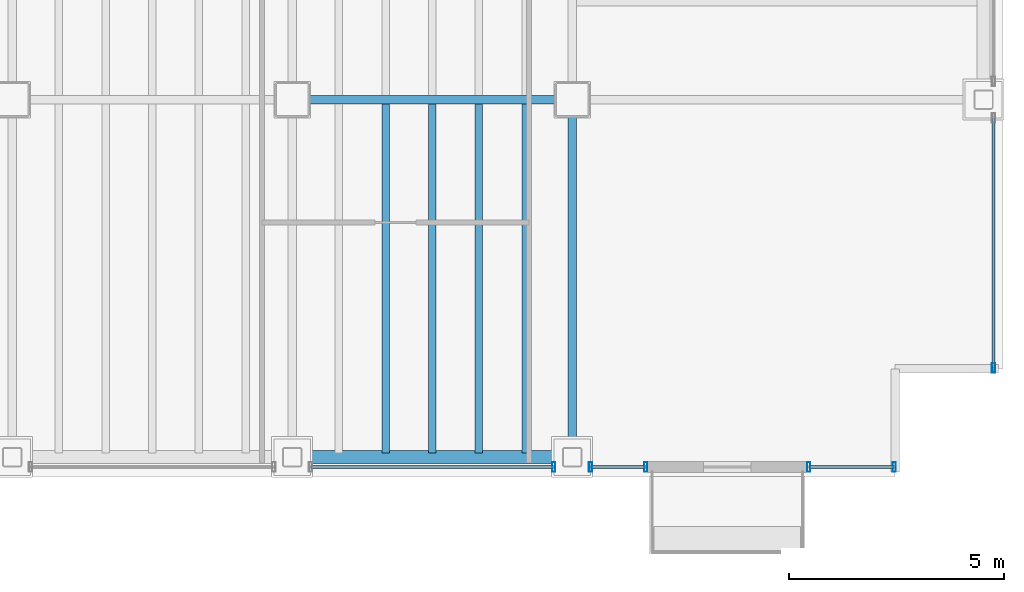
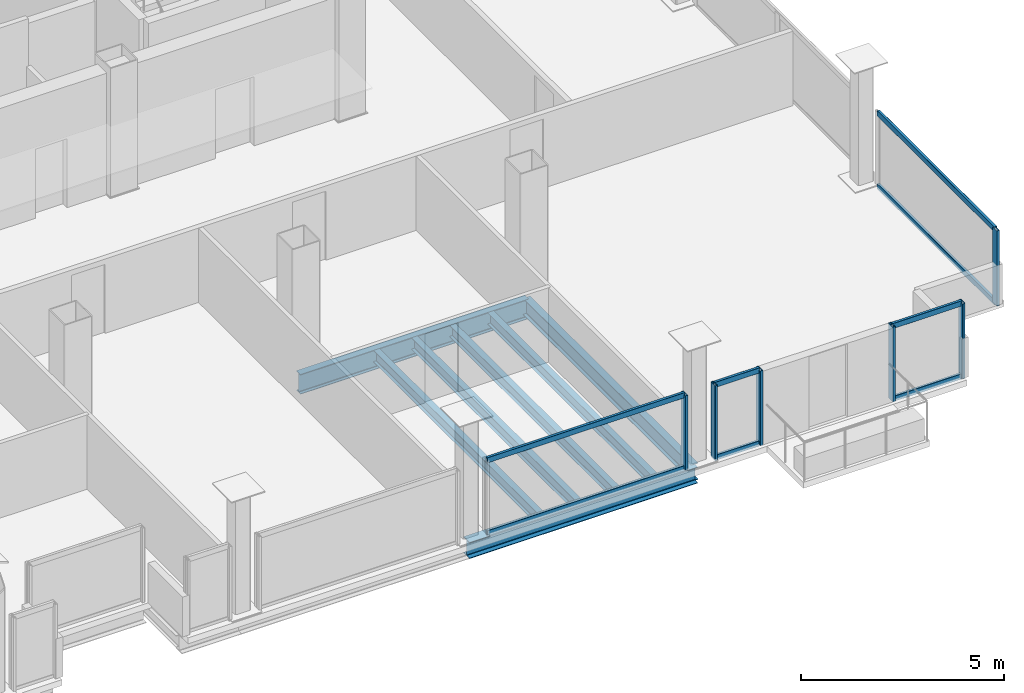
# One storey, part 10 of 17: 14 members, 7 beams, 4 elements without a shape of their own.
"""IFC4 building model written with IfcOpenShell, lengths in metres."""

from ifc_helpers import new_model, si_unit, direction, frame, origin, origin_2d, place, context, subcontext, project, spatial, hollow_rectangle, i_section, extrude, material, material_profile, profile_set, type_object, element, aggregate, save


model = new_model("IFC4")

# Units and contexts
model_context = context("Model", 3, precision=1e-05, world=origin(), true_north=direction((0.0, 1.0)))
body_context = subcontext(model_context, "Body", "Model", "MODEL_VIEW")
ifc_project = project(units=[si_unit("LENGTHUNIT", "METRE"), si_unit("AREAUNIT", "SQUARE_METRE"), si_unit("VOLUMEUNIT", "CUBIC_METRE"), si_unit("PLANEANGLEUNIT", "RADIAN"), si_unit("MASSUNIT", "GRAM", prefix="KILO")], contexts=[model_context])

# Site, building, storey
site_placement = place(None, origin())
site = spatial("IfcSite", under=ifc_project, at=site_placement, CompositionType="ELEMENT")
building_placement = place(site_placement, origin())
building = spatial("IfcBuilding", under=site, at=building_placement, Name="Noeulbin Bourse Tower", CompositionType="ELEMENT")
storey_placement = place(building_placement, frame((0.0, 0.0, 226.699951171875)))
storey = spatial("IfcBuildingStorey", under=building, at=storey_placement, Name="L56", CompositionType="ELEMENT", Elevation=226.699951171875)

# Beams
ifc_material_1 = material(Name="Steel S355", Category="steel")
ifc_material_profile_1 = material_profile(ifc_material_1, i_section(OverallWidth=0.199951171875, OverallDepth=0.5, WebThickness=0.010009765625, FlangeThickness=0.01611328125, FilletRadius=0.02001953125, at=origin_2d()), Name="H-500x200x10x16", Category="LoadBearing")
ifc_profile_set_1 = profile_set([ifc_material_profile_1], Name="Steel S355")
beam_type_1 = type_object("IfcBeamType", Name="BM-GRD-500", PredefinedType="USERDEFINED", material=ifc_profile_set_1)
beam_1_placement = place(storey_placement, frame((44.0, 11.699951171875, -0.429931640625), z_axis=(0.0, 1.0, 0.0), x_axis=(-1.0, 0.0, 0.0)))
element("IfcBeam", 1, at=beam_1_placement, inside=storey, type_object=beam_type_1, Name="Tower Primary Girder NS L56-5.1", ObjectType="GIRDER", PredefinedType="USERDEFINED", context=body_context, shape_type="SweptSolid", body=[
    extrude(i_section(OverallWidth=0.199951171875, OverallDepth=0.5, WebThickness=0.010009765625, FlangeThickness=0.01611328125, FilletRadius=0.02001953125, at=origin_2d()), origin(), (0.0, 0.0, 1.0), 8.300048828125),
])
ifc_material_profile_2 = material_profile(ifc_material_1, i_section(OverallWidth=0.199951171875, OverallDepth=0.60009765625, WebThickness=0.010986328125, FlangeThickness=0.01708984375, FilletRadius=0.02197265625, at=origin_2d()), Name="H-600x200x11x17", Category="LoadBearing")
ifc_profile_set_2 = profile_set([ifc_material_profile_2], Name="Steel S355")
beam_type_2 = type_object("IfcBeamType", Name="BM-GRD-600", PredefinedType="USERDEFINED", material=ifc_profile_set_2)
beam_2_placement = place(storey_placement, frame((37.5, 20.0, -0.47998046875), z_axis=(1.0, 0.0, 0.0), x_axis=(0.0, 1.0, 0.0)))
element("IfcBeam", 2, at=beam_2_placement, inside=storey, type_object=beam_type_2, Name="Tower Primary Girder EW L56-1.5", ObjectType="GIRDER", PredefinedType="USERDEFINED", context=body_context, shape_type="SweptSolid", body=[
    extrude(i_section(OverallWidth=0.199951171875, OverallDepth=0.60009765625, WebThickness=0.010986328125, FlangeThickness=0.01708984375, FilletRadius=0.02197265625, at=origin_2d()), origin(), (0.0, 0.0, 1.0), 6.5),
])
ifc_material_profile_3 = material_profile(ifc_material_1, i_section(OverallWidth=0.175048828125, OverallDepth=0.35009765625, WebThickness=0.007080078125, FlangeThickness=0.010986328125, FilletRadius=0.013916015625, at=origin_2d()), Name="H-350x175x7x11", Category="LoadBearing")
ifc_profile_set_3 = profile_set([ifc_material_profile_3], Name="Steel S355")
beam_type_3 = type_object("IfcBeamType", Name="BM-JST-350", PredefinedType="JOIST", material=ifc_profile_set_3)
for number, where, z_axis, x_axis, name in (
    (3, (39.666748046875, 11.800048828125, -0.35498046875), (0.0, 1.0, 0.0), (-1.0, 0.0, 0.0), "Tower Composite Joist L56-39"),
    (4, (40.75, 11.800048828125, -0.35498046875), (0.0, 1.0, 0.0), (-1.0, 0.0, 0.0), "Tower Composite Joist L56-41"),
    (5, (41.833251953125, 11.800048828125, -0.35498046875), (0.0, 1.0, 0.0), (-1.0, 0.0, 0.0), "Tower Composite Joist L56-43"),
    (6, (42.916748046875, 11.800048828125, -0.35498046875), (0.0, 1.0, 0.0), (-1.0, 0.0, 0.0), "Tower Composite Joist L56-45"),
):
    element("IfcBeam", number, at=place(storey_placement, frame(where, z_axis=z_axis, x_axis=x_axis)), inside=storey, type_object=beam_type_3, Name=name, PredefinedType="JOIST", context=body_context, shape_type="SweptSolid", body=[
        extrude(i_section(OverallWidth=0.175048828125, OverallDepth=0.35009765625, WebThickness=0.007080078125, FlangeThickness=0.010986328125, FilletRadius=0.013916015625, at=origin_2d()), origin(), (0.0, 0.0, 1.0), 8.099853515625),
    ])
ifc_material_profile_4 = material_profile(ifc_material_1, i_section(OverallWidth=0.300048828125, OverallDepth=0.488037109375, WebThickness=0.010986328125, FlangeThickness=0.01806640625, FilletRadius=0.02197265625, at=origin_2d()), Name="H-488x300x11x18", Category="LoadBearing")
ifc_profile_set_4 = profile_set([ifc_material_profile_4], Name="Steel S355")
beam_type_4 = type_object("IfcBeamType", Name="BM-SPN-488", PredefinedType="SPANDREL", material=ifc_profile_set_4)
beam_3_placement = place(storey_placement, frame((37.5, 11.699951171875, -0.424072265625), z_axis=(1.0, 0.0, 0.0), x_axis=(0.0, 1.0, 0.0)))
element("IfcBeam", 7, at=beam_3_placement, inside=storey, type_object=beam_type_4, Name="South Spandrel L56-4", PredefinedType="SPANDREL", context=body_context, shape_type="SweptSolid", body=[
    extrude(i_section(OverallWidth=0.300048828125, OverallDepth=0.488037109375, WebThickness=0.010986328125, FlangeThickness=0.01806640625, FilletRadius=0.02197265625, at=origin_2d()), origin(), (0.0, 0.0, 1.0), 6.5),
])

# Curtain wall, member
ifc_material_2 = material(Name="High-Selectivity Low-Iron Glazing", Category="glass")
curtain_wall_type = type_object("IfcCurtainWallType", Name="CW-SYS-4", PredefinedType="NOTDEFINED", material=ifc_material_2)
curtain_wall_1_placement = place(storey_placement, origin())
curtain_wall_1 = element("IfcCurtainWall", 8, at=curtain_wall_1_placement, inside=storey, type_object=curtain_wall_type, Name="Unitised Curtain Wall CW-L56-S2-S3", PredefinedType="NOTDEFINED")
ifc_material_3 = material(Name="Anodised Aluminium 6063-T6", Category="aluminium")
ifc_material_profile_5 = material_profile(ifc_material_3, hollow_rectangle(XDim=0.074951171875, YDim=0.219970703125, WallThickness=0.0048828125, InnerFilletRadius=0.00244140625, OuterFilletRadius=0.0048828125, at=origin_2d()), Name="ALU-MULL-75x220x5", Category="LoadBearing")
ifc_profile_set_5 = profile_set([ifc_material_profile_5], Name="Anodised Aluminium 6063-T6")
member_type_1 = type_object("IfcMemberType", Name="CW-SYS-4-MUL", PredefinedType="MULLION", material=ifc_profile_set_5)
member_1_placement = place(storey_placement, frame((43.574951171875, 11.469970703125, -0.02001953125), z_axis=(0.0, 0.0, 1.0), x_axis=(1.0, 0.0, 0.0)))
member_1 = element("IfcMember", 9, at=member_1_placement, type_object=member_type_1, Name="Curtain Wall Mullion CW-L56-S2-S3-M01", PredefinedType="MULLION", context=body_context, shape_type="SweptSolid", body=[
    extrude(hollow_rectangle(XDim=0.074951171875, YDim=0.219970703125, WallThickness=0.0048828125, InnerFilletRadius=0.00244140625, OuterFilletRadius=0.0048828125, at=origin_2d()), origin(), (0.0, 0.0, 1.0), 2.260009765625),
])

# Curtain wall, members
curtain_wall_2_placement = place(storey_placement, origin())
curtain_wall_2 = element("IfcCurtainWall", 10, at=curtain_wall_2_placement, inside=storey, type_object=curtain_wall_type, Name="Unitised Curtain Wall CW-L56-S2-S4", PredefinedType="NOTDEFINED")
member_2_placement = place(storey_placement, frame((44.425048828125, 11.469970703125, -0.02001953125), z_axis=(0.0, 0.0, 1.0), x_axis=(1.0, 0.0, 0.0)))
member_2 = element("IfcMember", 11, at=member_2_placement, type_object=member_type_1, Name="Curtain Wall Mullion CW-L56-S2-S4-M00", PredefinedType="MULLION", context=body_context, shape_type="SweptSolid", body=[
    extrude(hollow_rectangle(XDim=0.074951171875, YDim=0.219970703125, WallThickness=0.0048828125, InnerFilletRadius=0.00244140625, OuterFilletRadius=0.0048828125, at=origin_2d()), origin(), (0.0, 0.0, 1.0), 2.260009765625),
])
member_3_placement = place(storey_placement, frame((45.7099609375, 11.469970703125, -0.02001953125), z_axis=(0.0, 0.0, 1.0), x_axis=(1.0, 0.0, 0.0)))
member_3 = element("IfcMember", 12, at=member_3_placement, type_object=member_type_1, Name="Curtain Wall Mullion CW-L56-S2-S4-M01", PredefinedType="MULLION", context=body_context, shape_type="SweptSolid", body=[
    extrude(hollow_rectangle(XDim=0.074951171875, YDim=0.219970703125, WallThickness=0.0048828125, InnerFilletRadius=0.00244140625, OuterFilletRadius=0.0048828125, at=origin_2d()), origin(), (0.0, 0.0, 1.0), 2.260009765625),
])

curtain_wall_3_placement = place(storey_placement, origin())
curtain_wall_3 = element("IfcCurtainWall", 13, at=curtain_wall_3_placement, inside=storey, type_object=curtain_wall_type, Name="Unitised Curtain Wall CW-L56-S3", PredefinedType="NOTDEFINED")
member_4_placement = place(storey_placement, frame((49.489990234375, 11.469970703125, -0.02001953125), z_axis=(0.0, 0.0, 1.0), x_axis=(1.0, 0.0, 0.0)))
member_4 = element("IfcMember", 14, at=member_4_placement, type_object=member_type_1, Name="Curtain Wall Mullion CW-L56-S3-M00", PredefinedType="MULLION", context=body_context, shape_type="SweptSolid", body=[
    extrude(hollow_rectangle(XDim=0.074951171875, YDim=0.219970703125, WallThickness=0.0048828125, InnerFilletRadius=0.00244140625, OuterFilletRadius=0.0048828125, at=origin_2d()), origin(), (0.0, 0.0, 1.0), 2.260009765625),
])
member_5_placement = place(storey_placement, frame((51.47998046875, 11.469970703125, -0.02001953125), z_axis=(0.0, 0.0, 1.0), x_axis=(1.0, 0.0, 0.0)))
member_5 = element("IfcMember", 15, at=member_5_placement, type_object=member_type_1, Name="Curtain Wall Mullion CW-L56-S3-M01", PredefinedType="MULLION", context=body_context, shape_type="SweptSolid", body=[
    extrude(hollow_rectangle(XDim=0.074951171875, YDim=0.219970703125, WallThickness=0.0048828125, InnerFilletRadius=0.00244140625, OuterFilletRadius=0.0048828125, at=origin_2d()), origin(), (0.0, 0.0, 1.0), 2.260009765625),
])

# Curtain wall, member
curtain_wall_4_placement = place(storey_placement, origin())
curtain_wall_4 = element("IfcCurtainWall", 16, at=curtain_wall_4_placement, inside=storey, type_object=curtain_wall_type, Name="Unitised Curtain Wall CW-L56-E-S1", PredefinedType="NOTDEFINED")
member_6_placement = place(storey_placement, frame((53.780029296875, 13.77001953125, -0.02001953125), z_axis=(0.0, 0.0, 1.0), x_axis=(1.0, 0.0, 0.0)))
member_6 = element("IfcMember", 17, at=member_6_placement, type_object=member_type_1, Name="Curtain Wall Mullion CW-L56-E-S1-M00", PredefinedType="MULLION", context=body_context, shape_type="SweptSolid", body=[
    extrude(hollow_rectangle(XDim=0.074951171875, YDim=0.219970703125, WallThickness=0.0048828125, InnerFilletRadius=0.00244140625, OuterFilletRadius=0.0048828125, at=origin_2d()), origin(), (0.0, 0.0, 1.0), 2.260009765625),
])

# Member
ifc_material_profile_6 = material_profile(ifc_material_3, hollow_rectangle(XDim=0.074951171875, YDim=0.159912109375, WallThickness=0.0048828125, InnerFilletRadius=0.00244140625, OuterFilletRadius=0.0048828125, at=origin_2d()), Name="ALU-TRAN-75x160x5", Category="LoadBearing")
ifc_profile_set_6 = profile_set([ifc_material_profile_6], Name="Anodised Aluminium 6063-T6")
member_type_2 = type_object("IfcMemberType", Name="CW-SYS-4-TRN", PredefinedType="USERDEFINED", material=ifc_profile_set_6)
member_7_placement = place(storey_placement, frame((37.93505859375, 11.469970703125, 0.010009765625), z_axis=(1.0, 0.0, 0.0), x_axis=(0.0, 1.0, 0.0)))
member_7 = element("IfcMember", 18, at=member_7_placement, type_object=member_type_2, Name="Curtain Wall Transom CW-L56-S2-S3-T00", ObjectType="TRANSOM", PredefinedType="USERDEFINED", context=body_context, shape_type="SweptSolid", body=[
    extrude(hollow_rectangle(XDim=0.074951171875, YDim=0.159912109375, WallThickness=0.0048828125, InnerFilletRadius=0.00244140625, OuterFilletRadius=0.0048828125, at=origin_2d()), origin(), (0.0, 0.0, 1.0), 5.6298828125),
])

member_8_placement = place(storey_placement, frame((37.93505859375, 11.469970703125, 2.2099609375), z_axis=(1.0, 0.0, 0.0), x_axis=(0.0, 1.0, 0.0)))
member_8 = element("IfcMember", 19, at=member_8_placement, type_object=member_type_2, Name="Curtain Wall Transom CW-L56-S2-S3-T01", ObjectType="TRANSOM", PredefinedType="USERDEFINED", context=body_context, shape_type="SweptSolid", body=[
    extrude(hollow_rectangle(XDim=0.074951171875, YDim=0.159912109375, WallThickness=0.0048828125, InnerFilletRadius=0.00244140625, OuterFilletRadius=0.0048828125, at=origin_2d()), origin(), (0.0, 0.0, 1.0), 5.6298828125),
])

aggregate(curtain_wall_1, [member_1, member_7, member_8])

member_9_placement = place(storey_placement, frame((44.43505859375, 11.469970703125, 0.010009765625), z_axis=(1.0, 0.0, 0.0), x_axis=(0.0, 1.0, 0.0)))
member_9 = element("IfcMember", 20, at=member_9_placement, type_object=member_type_2, Name="Curtain Wall Transom CW-L56-S2-S4-T00", ObjectType="TRANSOM", PredefinedType="USERDEFINED", context=body_context, shape_type="SweptSolid", body=[
    extrude(hollow_rectangle(XDim=0.074951171875, YDim=0.159912109375, WallThickness=0.0048828125, InnerFilletRadius=0.00244140625, OuterFilletRadius=0.0048828125, at=origin_2d()), origin(), (0.0, 0.0, 1.0), 1.264892578125),
])

member_10_placement = place(storey_placement, frame((44.43505859375, 11.469970703125, 2.2099609375), z_axis=(1.0, 0.0, 0.0), x_axis=(0.0, 1.0, 0.0)))
member_10 = element("IfcMember", 21, at=member_10_placement, type_object=member_type_2, Name="Curtain Wall Transom CW-L56-S2-S4-T01", ObjectType="TRANSOM", PredefinedType="USERDEFINED", context=body_context, shape_type="SweptSolid", body=[
    extrude(hollow_rectangle(XDim=0.074951171875, YDim=0.159912109375, WallThickness=0.0048828125, InnerFilletRadius=0.00244140625, OuterFilletRadius=0.0048828125, at=origin_2d()), origin(), (0.0, 0.0, 1.0), 1.264892578125),
])

aggregate(curtain_wall_2, [member_2, member_3, member_9, member_10])

member_11_placement = place(storey_placement, frame((49.5, 11.469970703125, 0.010009765625), z_axis=(1.0, 0.0, 0.0), x_axis=(0.0, 1.0, 0.0)))
member_11 = element("IfcMember", 22, at=member_11_placement, type_object=member_type_2, Name="Curtain Wall Transom CW-L56-S3-T00", ObjectType="TRANSOM", PredefinedType="USERDEFINED", context=body_context, shape_type="SweptSolid", body=[
    extrude(hollow_rectangle(XDim=0.074951171875, YDim=0.159912109375, WallThickness=0.0048828125, InnerFilletRadius=0.00244140625, OuterFilletRadius=0.0048828125, at=origin_2d()), origin(), (0.0, 0.0, 1.0), 1.969970703125),
])

member_12_placement = place(storey_placement, frame((49.5, 11.469970703125, 2.2099609375), z_axis=(1.0, 0.0, 0.0), x_axis=(0.0, 1.0, 0.0)))
member_12 = element("IfcMember", 23, at=member_12_placement, type_object=member_type_2, Name="Curtain Wall Transom CW-L56-S3-T01", ObjectType="TRANSOM", PredefinedType="USERDEFINED", context=body_context, shape_type="SweptSolid", body=[
    extrude(hollow_rectangle(XDim=0.074951171875, YDim=0.159912109375, WallThickness=0.0048828125, InnerFilletRadius=0.00244140625, OuterFilletRadius=0.0048828125, at=origin_2d()), origin(), (0.0, 0.0, 1.0), 1.969970703125),
])

aggregate(curtain_wall_3, [member_4, member_5, member_11, member_12])

member_13_placement = place(storey_placement, frame((53.780029296875, 13.780029296875, 0.010009765625), z_axis=(0.0, 1.0, 0.0), x_axis=(-1.0, 0.0, 0.0)))
member_13 = element("IfcMember", 24, at=member_13_placement, type_object=member_type_2, Name="Curtain Wall Transom CW-L56-E-S1-T00", ObjectType="TRANSOM", PredefinedType="USERDEFINED", context=body_context, shape_type="SweptSolid", body=[
    extrude(hollow_rectangle(XDim=0.074951171875, YDim=0.159912109375, WallThickness=0.0048828125, InnerFilletRadius=0.00244140625, OuterFilletRadius=0.0048828125, at=origin_2d()), origin(), (0.0, 0.0, 1.0), 5.784912109375),
])

member_14_placement = place(storey_placement, frame((53.780029296875, 13.780029296875, 2.2099609375), z_axis=(0.0, 1.0, 0.0), x_axis=(-1.0, 0.0, 0.0)))
member_14 = element("IfcMember", 25, at=member_14_placement, type_object=member_type_2, Name="Curtain Wall Transom CW-L56-E-S1-T01", ObjectType="TRANSOM", PredefinedType="USERDEFINED", context=body_context, shape_type="SweptSolid", body=[
    extrude(hollow_rectangle(XDim=0.074951171875, YDim=0.159912109375, WallThickness=0.0048828125, InnerFilletRadius=0.00244140625, OuterFilletRadius=0.0048828125, at=origin_2d()), origin(), (0.0, 0.0, 1.0), 5.784912109375),
])

aggregate(curtain_wall_4, [member_6, member_13, member_14])

save(model, "model.ifc")
